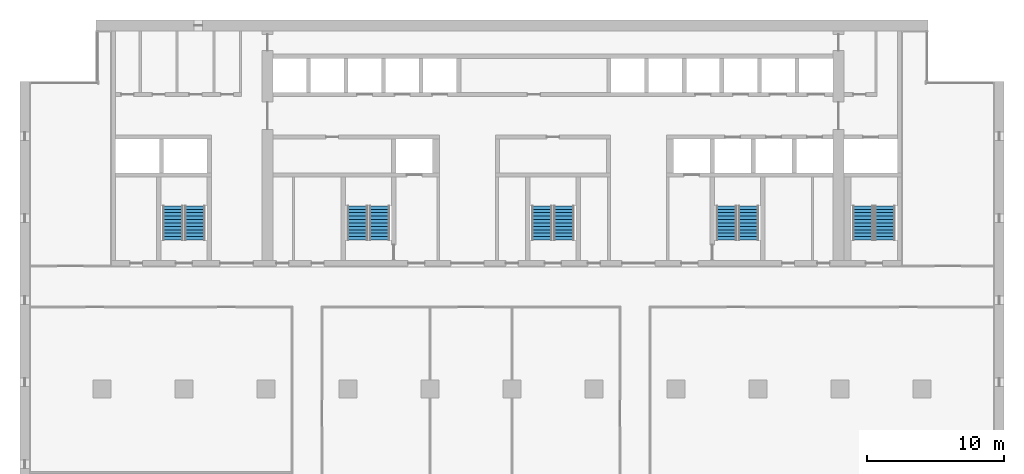
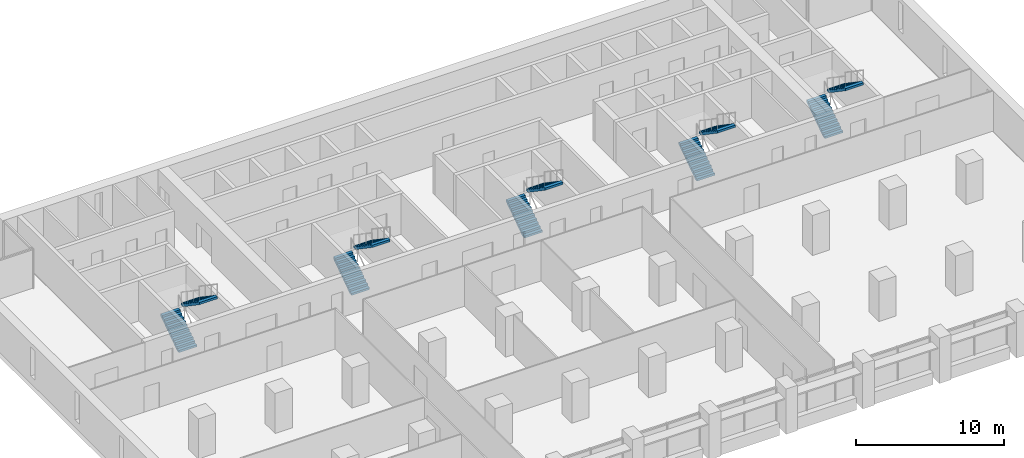
# One storey, part 12 of 15: 10 stair flights, 5 elements without a shape of their own.
"""IFC4 building model written with IfcOpenShell, lengths in metres."""

from ifc_helpers import new_model, si_unit, direction, frame, origin, place, context, subcontext, project, spatial, polyline, outline, extrude, material, type_object, element, aggregate, save


model = new_model("IFC4")

# Units and contexts
model_context = context("Model", 3, precision=1e-05, world=origin(), true_north=direction((0.0, 1.0)))
body_context = subcontext(model_context, "Body", "Model", "MODEL_VIEW")
ifc_project = project(units=[si_unit("LENGTHUNIT", "METRE"), si_unit("AREAUNIT", "SQUARE_METRE"), si_unit("VOLUMEUNIT", "CUBIC_METRE"), si_unit("PLANEANGLEUNIT", "RADIAN"), si_unit("MASSUNIT", "GRAM", prefix="KILO")], contexts=[model_context])

# Site, building, storey
site_placement = place(None, origin())
site = spatial("IfcSite", under=ifc_project, at=site_placement, CompositionType="ELEMENT")
building_placement = place(site_placement, origin())
building = spatial("IfcBuilding", under=site, at=building_placement, Name="Calvaro Tower", CompositionType="ELEMENT")
storey_placement = place(building_placement, frame((0.0, 0.0, 121.25)))
storey = spatial("IfcBuildingStorey", under=building, at=storey_placement, Name="L30", CompositionType="ELEMENT", Elevation=121.25)

# Stair, stair flights
ifc_material_1 = material(Name="Concrete C40/50", Category="concrete")
stair_type = type_object("IfcStairType", Name="Exit stair 1400 2 flights", PredefinedType="HALF_TURN_STAIR", material=ifc_material_1)
stair_1_placement = place(storey_placement, origin())
stair_1 = element("IfcStair", 1, at=stair_1_placement, inside=storey, type_object=stair_type, Name="Exit stair S1", PredefinedType="HALF_TURN_STAIR")
ifc_material_2 = material(Name="Concrete C40/50", Category="concrete")
stair_flight_type = type_object("IfcStairFlightType", Name="Stair flight", PredefinedType="STRAIGHT", material=ifc_material_2)
stair_flight_1_placement = place(storey_placement, frame((11.199951171875, 29.89990234375, 0.0), z_axis=(0.0, 0.0, 1.0), x_axis=(0.0, 1.0, 0.0)))
stair_flight_1 = element("IfcStairFlight", 2, at=stair_flight_1_placement, type_object=stair_flight_type, Name="Exit stair 1, flight 1", NumberOfRisers=11, NumberOfTreads=10, PredefinedType="STRAIGHT", RiserHeight=0.170454545, TreadLength=0.25, context=body_context, shape_type="SweptSolid", body=[
    extrude(outline(polyline([(0.0, 0.0), (0.0, 0.17041015625), (0.25, 0.17041015625), (0.25, 0.3408203125), (0.5, 0.3408203125), (0.5, 0.511474609375), (0.75, 0.511474609375), (0.75, 0.681884765625), (1.0, 0.681884765625), (1.0, 0.852294921875), (1.25, 0.852294921875), (1.25, 1.022705078125), (1.5, 1.022705078125), (1.5, 1.193115234375), (1.75, 1.193115234375), (1.75, 1.363525390625), (2.0, 1.363525390625), (2.0, 1.5341796875), (2.25, 1.5341796875), (2.25, 1.70458984375), (2.5, 1.70458984375), (2.5, 1.875), (2.5, 1.523193359375), (0.26611328125, 0.0), (0.0, 0.0)])), frame((0.0, 0.699951171875, 0.0), z_axis=(0.0, -1.0, 0.0), x_axis=(1.0, 0.0, 0.0)), (0.0, 0.0, 1.0), 1.39990234375),
])
stair_flight_2_placement = place(storey_placement, frame((12.800048828125, 32.39990234375, 1.875), z_axis=(0.0, 0.0, 1.0), x_axis=(0.0, -1.0, 0.0)))
stair_flight_2 = element("IfcStairFlight", 3, at=stair_flight_2_placement, type_object=stair_flight_type, Name="Exit stair 1, flight 2", NumberOfRisers=11, NumberOfTreads=10, PredefinedType="STRAIGHT", RiserHeight=0.170454545, TreadLength=0.25, context=body_context, shape_type="SweptSolid", body=[
    extrude(outline(polyline([(0.0, 0.0), (0.0, 0.17041015625), (0.25, 0.17041015625), (0.25, 0.3408203125), (0.5, 0.3408203125), (0.5, 0.511474609375), (0.75, 0.511474609375), (0.75, 0.681884765625), (1.0, 0.681884765625), (1.0, 0.852294921875), (1.25, 0.852294921875), (1.25, 1.022705078125), (1.5, 1.022705078125), (1.5, 1.193115234375), (1.75, 1.193115234375), (1.75, 1.363525390625), (2.0, 1.363525390625), (2.0, 1.5341796875), (2.25, 1.5341796875), (2.25, 1.70458984375), (2.5, 1.70458984375), (2.5, 1.875), (2.5, 1.523193359375), (0.26611328125, 0.0), (0.0, 0.0)])), frame((0.0, 0.699951171875, 0.0), z_axis=(0.0, -1.0, 0.0), x_axis=(1.0, 0.0, 0.0)), (0.0, 0.0, 1.0), 1.39990234375),
])
aggregate(stair_1, [stair_flight_1, stair_flight_2])

stair_2_placement = place(storey_placement, origin())
stair_2 = element("IfcStair", 4, at=stair_2_placement, inside=storey, type_object=stair_type, Name="Exit stair S2", PredefinedType="HALF_TURN_STAIR")
stair_flight_3_placement = place(storey_placement, frame((24.699951171875, 29.89990234375, 0.0), z_axis=(0.0, 0.0, 1.0), x_axis=(0.0, 1.0, 0.0)))
stair_flight_3 = element("IfcStairFlight", 5, at=stair_flight_3_placement, type_object=stair_flight_type, Name="Exit stair 2, flight 1", NumberOfRisers=11, NumberOfTreads=10, PredefinedType="STRAIGHT", RiserHeight=0.170454545, TreadLength=0.25, context=body_context, shape_type="SweptSolid", body=[
    extrude(outline(polyline([(0.0, 0.0), (0.0, 0.17041015625), (0.25, 0.17041015625), (0.25, 0.3408203125), (0.5, 0.3408203125), (0.5, 0.511474609375), (0.75, 0.511474609375), (0.75, 0.681884765625), (1.0, 0.681884765625), (1.0, 0.852294921875), (1.25, 0.852294921875), (1.25, 1.022705078125), (1.5, 1.022705078125), (1.5, 1.193115234375), (1.75, 1.193115234375), (1.75, 1.363525390625), (2.0, 1.363525390625), (2.0, 1.5341796875), (2.25, 1.5341796875), (2.25, 1.70458984375), (2.5, 1.70458984375), (2.5, 1.875), (2.5, 1.523193359375), (0.26611328125, 0.0), (0.0, 0.0)])), frame((0.0, 0.699951171875, 0.0), z_axis=(0.0, -1.0, 0.0), x_axis=(1.0, 0.0, 0.0)), (0.0, 0.0, 1.0), 1.39990234375),
])
stair_flight_4_placement = place(storey_placement, frame((26.300048828125, 32.39990234375, 1.875), z_axis=(0.0, 0.0, 1.0), x_axis=(0.0, -1.0, 0.0)))
stair_flight_4 = element("IfcStairFlight", 6, at=stair_flight_4_placement, type_object=stair_flight_type, Name="Exit stair 2, flight 2", NumberOfRisers=11, NumberOfTreads=10, PredefinedType="STRAIGHT", RiserHeight=0.170454545, TreadLength=0.25, context=body_context, shape_type="SweptSolid", body=[
    extrude(outline(polyline([(0.0, 0.0), (0.0, 0.17041015625), (0.25, 0.17041015625), (0.25, 0.3408203125), (0.5, 0.3408203125), (0.5, 0.511474609375), (0.75, 0.511474609375), (0.75, 0.681884765625), (1.0, 0.681884765625), (1.0, 0.852294921875), (1.25, 0.852294921875), (1.25, 1.022705078125), (1.5, 1.022705078125), (1.5, 1.193115234375), (1.75, 1.193115234375), (1.75, 1.363525390625), (2.0, 1.363525390625), (2.0, 1.5341796875), (2.25, 1.5341796875), (2.25, 1.70458984375), (2.5, 1.70458984375), (2.5, 1.875), (2.5, 1.523193359375), (0.26611328125, 0.0), (0.0, 0.0)])), frame((0.0, 0.699951171875, 0.0), z_axis=(0.0, -1.0, 0.0), x_axis=(1.0, 0.0, 0.0)), (0.0, 0.0, 1.0), 1.39990234375),
])
aggregate(stair_2, [stair_flight_3, stair_flight_4])

stair_3_placement = place(storey_placement, origin())
stair_3 = element("IfcStair", 7, at=stair_3_placement, inside=storey, type_object=stair_type, Name="Exit stair S3", PredefinedType="HALF_TURN_STAIR")
stair_flight_5_placement = place(storey_placement, frame((38.199951171875, 29.89990234375, 0.0), z_axis=(0.0, 0.0, 1.0), x_axis=(0.0, 1.0, 0.0)))
stair_flight_5 = element("IfcStairFlight", 8, at=stair_flight_5_placement, type_object=stair_flight_type, Name="Exit stair 3, flight 1", NumberOfRisers=11, NumberOfTreads=10, PredefinedType="STRAIGHT", RiserHeight=0.170454545, TreadLength=0.25, context=body_context, shape_type="SweptSolid", body=[
    extrude(outline(polyline([(0.0, 0.0), (0.0, 0.17041015625), (0.25, 0.17041015625), (0.25, 0.3408203125), (0.5, 0.3408203125), (0.5, 0.511474609375), (0.75, 0.511474609375), (0.75, 0.681884765625), (1.0, 0.681884765625), (1.0, 0.852294921875), (1.25, 0.852294921875), (1.25, 1.022705078125), (1.5, 1.022705078125), (1.5, 1.193115234375), (1.75, 1.193115234375), (1.75, 1.363525390625), (2.0, 1.363525390625), (2.0, 1.5341796875), (2.25, 1.5341796875), (2.25, 1.70458984375), (2.5, 1.70458984375), (2.5, 1.875), (2.5, 1.523193359375), (0.26611328125, 0.0), (0.0, 0.0)])), frame((0.0, 0.699951171875, 0.0), z_axis=(0.0, -1.0, 0.0), x_axis=(1.0, 0.0, 0.0)), (0.0, 0.0, 1.0), 1.39990234375),
])
stair_flight_6_placement = place(storey_placement, frame((39.800048828125, 32.39990234375, 1.875), z_axis=(0.0, 0.0, 1.0), x_axis=(0.0, -1.0, 0.0)))
stair_flight_6 = element("IfcStairFlight", 9, at=stair_flight_6_placement, type_object=stair_flight_type, Name="Exit stair 3, flight 2", NumberOfRisers=11, NumberOfTreads=10, PredefinedType="STRAIGHT", RiserHeight=0.170454545, TreadLength=0.25, context=body_context, shape_type="SweptSolid", body=[
    extrude(outline(polyline([(0.0, 0.0), (0.0, 0.17041015625), (0.25, 0.17041015625), (0.25, 0.3408203125), (0.5, 0.3408203125), (0.5, 0.511474609375), (0.75, 0.511474609375), (0.75, 0.681884765625), (1.0, 0.681884765625), (1.0, 0.852294921875), (1.25, 0.852294921875), (1.25, 1.022705078125), (1.5, 1.022705078125), (1.5, 1.193115234375), (1.75, 1.193115234375), (1.75, 1.363525390625), (2.0, 1.363525390625), (2.0, 1.5341796875), (2.25, 1.5341796875), (2.25, 1.70458984375), (2.5, 1.70458984375), (2.5, 1.875), (2.5, 1.523193359375), (0.26611328125, 0.0), (0.0, 0.0)])), frame((0.0, 0.699951171875, 0.0), z_axis=(0.0, -1.0, 0.0), x_axis=(1.0, 0.0, 0.0)), (0.0, 0.0, 1.0), 1.39990234375),
])
aggregate(stair_3, [stair_flight_5, stair_flight_6])

stair_4_placement = place(storey_placement, origin())
stair_4 = element("IfcStair", 10, at=stair_4_placement, inside=storey, type_object=stair_type, Name="Exit stair S4", PredefinedType="HALF_TURN_STAIR")
stair_flight_7_placement = place(storey_placement, frame((51.699951171875, 29.89990234375, 0.0), z_axis=(0.0, 0.0, 1.0), x_axis=(0.0, 1.0, 0.0)))
stair_flight_7 = element("IfcStairFlight", 11, at=stair_flight_7_placement, type_object=stair_flight_type, Name="Exit stair 4, flight 1", NumberOfRisers=11, NumberOfTreads=10, PredefinedType="STRAIGHT", RiserHeight=0.170454545, TreadLength=0.25, context=body_context, shape_type="SweptSolid", body=[
    extrude(outline(polyline([(0.0, 0.0), (0.0, 0.17041015625), (0.25, 0.17041015625), (0.25, 0.3408203125), (0.5, 0.3408203125), (0.5, 0.511474609375), (0.75, 0.511474609375), (0.75, 0.681884765625), (1.0, 0.681884765625), (1.0, 0.852294921875), (1.25, 0.852294921875), (1.25, 1.022705078125), (1.5, 1.022705078125), (1.5, 1.193115234375), (1.75, 1.193115234375), (1.75, 1.363525390625), (2.0, 1.363525390625), (2.0, 1.5341796875), (2.25, 1.5341796875), (2.25, 1.70458984375), (2.5, 1.70458984375), (2.5, 1.875), (2.5, 1.523193359375), (0.26611328125, 0.0), (0.0, 0.0)])), frame((0.0, 0.699951171875, 0.0), z_axis=(0.0, -1.0, 0.0), x_axis=(1.0, 0.0, 0.0)), (0.0, 0.0, 1.0), 1.39990234375),
])
stair_flight_8_placement = place(storey_placement, frame((53.300048828125, 32.39990234375, 1.875), z_axis=(0.0, 0.0, 1.0), x_axis=(0.0, -1.0, 0.0)))
stair_flight_8 = element("IfcStairFlight", 12, at=stair_flight_8_placement, type_object=stair_flight_type, Name="Exit stair 4, flight 2", NumberOfRisers=11, NumberOfTreads=10, PredefinedType="STRAIGHT", RiserHeight=0.170454545, TreadLength=0.25, context=body_context, shape_type="SweptSolid", body=[
    extrude(outline(polyline([(0.0, 0.0), (0.0, 0.17041015625), (0.25, 0.17041015625), (0.25, 0.3408203125), (0.5, 0.3408203125), (0.5, 0.511474609375), (0.75, 0.511474609375), (0.75, 0.681884765625), (1.0, 0.681884765625), (1.0, 0.852294921875), (1.25, 0.852294921875), (1.25, 1.022705078125), (1.5, 1.022705078125), (1.5, 1.193115234375), (1.75, 1.193115234375), (1.75, 1.363525390625), (2.0, 1.363525390625), (2.0, 1.5341796875), (2.25, 1.5341796875), (2.25, 1.70458984375), (2.5, 1.70458984375), (2.5, 1.875), (2.5, 1.523193359375), (0.26611328125, 0.0), (0.0, 0.0)])), frame((0.0, 0.699951171875, 0.0), z_axis=(0.0, -1.0, 0.0), x_axis=(1.0, 0.0, 0.0)), (0.0, 0.0, 1.0), 1.39990234375),
])
aggregate(stair_4, [stair_flight_7, stair_flight_8])

stair_5_placement = place(storey_placement, origin())
stair_5 = element("IfcStair", 13, at=stair_5_placement, inside=storey, type_object=stair_type, Name="Exit stair S5", PredefinedType="HALF_TURN_STAIR")
stair_flight_9_placement = place(storey_placement, frame((61.699951171875, 29.89990234375, 0.0), z_axis=(0.0, 0.0, 1.0), x_axis=(0.0, 1.0, 0.0)))
stair_flight_9 = element("IfcStairFlight", 14, at=stair_flight_9_placement, type_object=stair_flight_type, Name="Exit stair 5, flight 1", NumberOfRisers=11, NumberOfTreads=10, PredefinedType="STRAIGHT", RiserHeight=0.170454545, TreadLength=0.25, context=body_context, shape_type="SweptSolid", body=[
    extrude(outline(polyline([(0.0, 0.0), (0.0, 0.17041015625), (0.25, 0.17041015625), (0.25, 0.3408203125), (0.5, 0.3408203125), (0.5, 0.511474609375), (0.75, 0.511474609375), (0.75, 0.681884765625), (1.0, 0.681884765625), (1.0, 0.852294921875), (1.25, 0.852294921875), (1.25, 1.022705078125), (1.5, 1.022705078125), (1.5, 1.193115234375), (1.75, 1.193115234375), (1.75, 1.363525390625), (2.0, 1.363525390625), (2.0, 1.5341796875), (2.25, 1.5341796875), (2.25, 1.70458984375), (2.5, 1.70458984375), (2.5, 1.875), (2.5, 1.523193359375), (0.26611328125, 0.0), (0.0, 0.0)])), frame((0.0, 0.699951171875, 0.0), z_axis=(0.0, -1.0, 0.0), x_axis=(1.0, 0.0, 0.0)), (0.0, 0.0, 1.0), 1.39990234375),
])
stair_flight_10_placement = place(storey_placement, frame((63.300048828125, 32.39990234375, 1.875), z_axis=(0.0, 0.0, 1.0), x_axis=(0.0, -1.0, 0.0)))
stair_flight_10 = element("IfcStairFlight", 15, at=stair_flight_10_placement, type_object=stair_flight_type, Name="Exit stair 5, flight 2", NumberOfRisers=11, NumberOfTreads=10, PredefinedType="STRAIGHT", RiserHeight=0.170454545, TreadLength=0.25, context=body_context, shape_type="SweptSolid", body=[
    extrude(outline(polyline([(0.0, 0.0), (0.0, 0.17041015625), (0.25, 0.17041015625), (0.25, 0.3408203125), (0.5, 0.3408203125), (0.5, 0.511474609375), (0.75, 0.511474609375), (0.75, 0.681884765625), (1.0, 0.681884765625), (1.0, 0.852294921875), (1.25, 0.852294921875), (1.25, 1.022705078125), (1.5, 1.022705078125), (1.5, 1.193115234375), (1.75, 1.193115234375), (1.75, 1.363525390625), (2.0, 1.363525390625), (2.0, 1.5341796875), (2.25, 1.5341796875), (2.25, 1.70458984375), (2.5, 1.70458984375), (2.5, 1.875), (2.5, 1.523193359375), (0.26611328125, 0.0), (0.0, 0.0)])), frame((0.0, 0.699951171875, 0.0), z_axis=(0.0, -1.0, 0.0), x_axis=(1.0, 0.0, 0.0)), (0.0, 0.0, 1.0), 1.39990234375),
])
aggregate(stair_5, [stair_flight_9, stair_flight_10])

save(model, "model.ifc")
